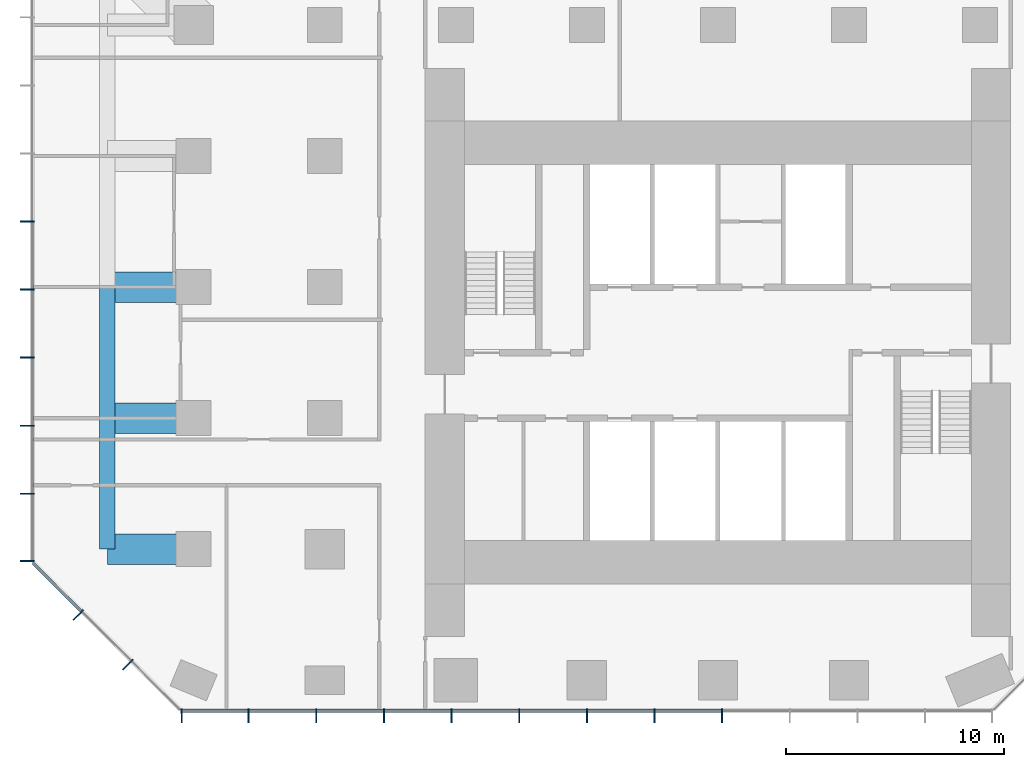
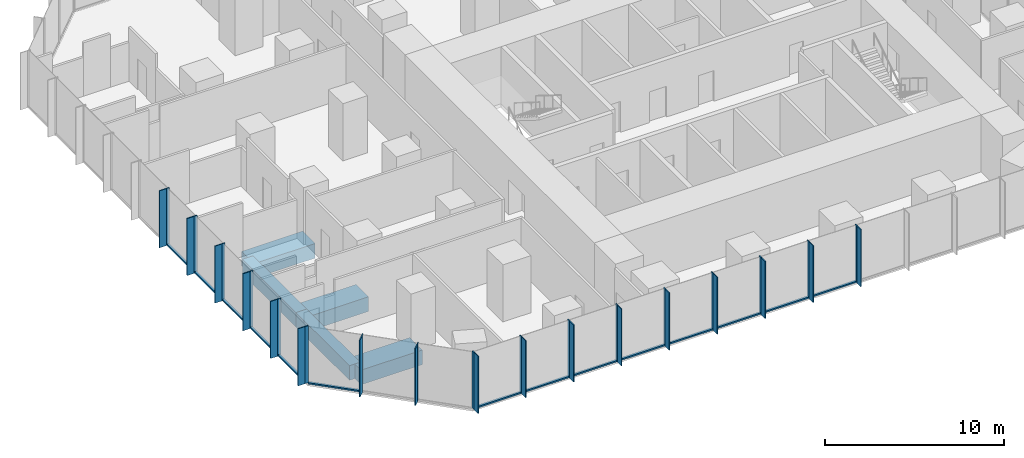
# One storey, part 2 of 11: 48 members, 5 beams, 3 elements without a shape of their own.
"""IFC4 building model written with IfcOpenShell, lengths in metres."""

from ifc_helpers import new_model, si_unit, direction, frame, origin, origin_2d, place, context, subcontext, project, spatial, rectangle, extrude, material, layer, layer_set, material_profile, profile_set, type_object, element, aggregate, save


model = new_model("IFC4")

# Units and contexts
model_context = context("Model", 3, precision=1e-05, world=origin(), true_north=direction((0.0, 1.0)))
body_context = subcontext(model_context, "Body", "Model", "MODEL_VIEW")
ifc_project = project(units=[si_unit("LENGTHUNIT", "METRE"), si_unit("AREAUNIT", "SQUARE_METRE"), si_unit("VOLUMEUNIT", "CUBIC_METRE"), si_unit("PLANEANGLEUNIT", "RADIAN"), si_unit("MASSUNIT", "GRAM", prefix="KILO")], contexts=[model_context])

# Site, building, storey
site_placement = place(None, origin())
site = spatial("IfcSite", under=ifc_project, at=site_placement, CompositionType="ELEMENT")
building_placement = place(site_placement, origin())
building = spatial("IfcBuilding", under=site, at=building_placement, Name="Highveld Stack Headquarters", CompositionType="ELEMENT")
storey_placement = place(building_placement, frame((0.0, 0.0, 109.39990234375)))
storey = spatial("IfcBuildingStorey", under=building, at=storey_placement, Name="L26", CompositionType="ELEMENT", Elevation=109.39990234375)

# Beams
ifc_material_1 = material(Name="Concrete C60/75", Category="concrete")
ifc_material_profile_1 = material_profile(ifc_material_1, rectangle(XDim=1.39990234375, YDim=1.0, at=origin_2d()), Name="RC 1400x1000")
ifc_profile_set_1 = profile_set([ifc_material_profile_1], Name="Concrete C60/75")
beam_type_1 = type_object("IfcBeamType", Name="CANTILEVER RIB RC 1400x1000", PredefinedType="USERDEFINED", material=ifc_profile_set_1)
for number, where, z_axis, x_axis, name in (
    (1, (-18.0, -6.0, -0.75), (-1.0, 0.0, 0.0), (0.0, -1.0, 0.0), "Cantilever rib 3/D L26"),
    (2, (-18.0, 0.0, -0.75), (-1.0, 0.0, 0.0), (0.0, -1.0, 0.0), "Cantilever rib 3/E L26"),
    (3, (-18.0, 6.0, -0.75), (-1.0, 0.0, 0.0), (0.0, -1.0, 0.0), "Cantilever rib 3/F L26"),
):
    element("IfcBeam", number, at=place(storey_placement, frame(where, z_axis=z_axis, x_axis=x_axis)), inside=storey, type_object=beam_type_1, Name=name, ObjectType="CANTILEVER RIB", PredefinedType="USERDEFINED", context=body_context, shape_type="SweptSolid", body=[
        extrude(rectangle(XDim=1.39990234375, YDim=1.0, at=origin_2d()), origin(), (0.0, 0.0, 1.0), 3.949951171875),
    ])

# Curtain wall, members
ifc_material_2 = material(Name="Aluminium bronze anodised", Category="aluminium")
ifc_layer_1 = layer(ifc_material_2, 0.199951171875)
ifc_layer_set_1 = layer_set([ifc_layer_1], Name="Aluminium bronze anodised")
curtain_wall_type_1 = type_object("IfcCurtainWallType", Name="CW1 TOWER UNITISED CURTAIN WALL", PredefinedType="NOTDEFINED", material=ifc_layer_set_1)
curtain_wall_1_placement = place(storey_placement, origin())
curtain_wall_1 = element("IfcCurtainWall", 4, at=curtain_wall_1_placement, inside=storey, type_object=curtain_wall_type_1, Name="Curtain wall CW1 L26 S", PredefinedType="NOTDEFINED")
ifc_material_3 = material(Name="Aluminium bronze anodised", Category="aluminium")
ifc_material_profile_2 = material_profile(ifc_material_3, rectangle(XDim=0.449951171875, YDim=0.06005859375, at=origin_2d()), Name="FIN 450x60")
ifc_profile_set_2 = profile_set([ifc_material_profile_2], Name="Aluminium bronze anodised")
member_type_1 = type_object("IfcMemberType", Name="CW1 BRONZE FIN 450x60", PredefinedType="USERDEFINED", material=ifc_profile_set_2)
member_1_placement = place(storey_placement, frame((-18.54736328125, -13.72509765625, 0.0), z_axis=(0.0, 0.0, 1.0), x_axis=(0.0, 1.0, 0.0)))
member_1 = element("IfcMember", 5, at=member_1_placement, type_object=member_type_1, Name="CW1 fin L26 1", ObjectType="FIN", PredefinedType="USERDEFINED", context=body_context, shape_type="SweptSolid", body=[
    extrude(rectangle(XDim=0.449951171875, YDim=0.06005859375, at=origin_2d()), origin(), (0.0, 0.0, 1.0), 3.900146484375),
])
member_2_placement = place(storey_placement, frame((-15.483154296875, -13.72509765625, 0.0), z_axis=(0.0, 0.0, 1.0), x_axis=(0.0, 1.0, 0.0)))
member_2 = element("IfcMember", 6, at=member_2_placement, type_object=member_type_1, Name="CW1 fin L26 2", ObjectType="FIN", PredefinedType="USERDEFINED", context=body_context, shape_type="SweptSolid", body=[
    extrude(rectangle(XDim=0.449951171875, YDim=0.06005859375, at=origin_2d()), origin(), (0.0, 0.0, 1.0), 3.900146484375),
])
member_3_placement = place(storey_placement, frame((-12.38671875, -13.72509765625, 0.0), z_axis=(0.0, 0.0, 1.0), x_axis=(0.0, 1.0, 0.0)))
member_3 = element("IfcMember", 7, at=member_3_placement, type_object=member_type_1, Name="CW1 fin L26 3", ObjectType="FIN", PredefinedType="USERDEFINED", context=body_context, shape_type="SweptSolid", body=[
    extrude(rectangle(XDim=0.449951171875, YDim=0.06005859375, at=origin_2d()), origin(), (0.0, 0.0, 1.0), 3.900146484375),
])
member_4_placement = place(storey_placement, frame((-9.289794921875, -13.72509765625, 0.0), z_axis=(0.0, 0.0, 1.0), x_axis=(0.0, 1.0, 0.0)))
member_4 = element("IfcMember", 8, at=member_4_placement, type_object=member_type_1, Name="CW1 fin L26 4", ObjectType="FIN", PredefinedType="USERDEFINED", context=body_context, shape_type="SweptSolid", body=[
    extrude(rectangle(XDim=0.449951171875, YDim=0.06005859375, at=origin_2d()), origin(), (0.0, 0.0, 1.0), 3.900146484375),
])
member_5_placement = place(storey_placement, frame((-6.193359375, -13.72509765625, 0.0), z_axis=(0.0, 0.0, 1.0), x_axis=(0.0, 1.0, 0.0)))
member_5 = element("IfcMember", 9, at=member_5_placement, type_object=member_type_1, Name="CW1 fin L26 5", ObjectType="FIN", PredefinedType="USERDEFINED", context=body_context, shape_type="SweptSolid", body=[
    extrude(rectangle(XDim=0.449951171875, YDim=0.06005859375, at=origin_2d()), origin(), (0.0, 0.0, 1.0), 3.900146484375),
])
member_6_placement = place(storey_placement, frame((-3.0966796875, -13.72509765625, 0.0), z_axis=(0.0, 0.0, 1.0), x_axis=(0.0, 1.0, 0.0)))
member_6 = element("IfcMember", 10, at=member_6_placement, type_object=member_type_1, Name="CW1 fin L26 6", ObjectType="FIN", PredefinedType="USERDEFINED", context=body_context, shape_type="SweptSolid", body=[
    extrude(rectangle(XDim=0.449951171875, YDim=0.06005859375, at=origin_2d()), origin(), (0.0, 0.0, 1.0), 3.900146484375),
])
member_7_placement = place(storey_placement, frame((0.0, -13.72509765625, 0.0), z_axis=(0.0, 0.0, 1.0), x_axis=(0.0, 1.0, 0.0)))
member_7 = element("IfcMember", 11, at=member_7_placement, type_object=member_type_1, Name="CW1 fin L26 7", ObjectType="FIN", PredefinedType="USERDEFINED", context=body_context, shape_type="SweptSolid", body=[
    extrude(rectangle(XDim=0.449951171875, YDim=0.06005859375, at=origin_2d()), origin(), (0.0, 0.0, 1.0), 3.900146484375),
])
member_8_placement = place(storey_placement, frame((3.0966796875, -13.72509765625, 0.0), z_axis=(0.0, 0.0, 1.0), x_axis=(0.0, 1.0, 0.0)))
member_8 = element("IfcMember", 12, at=member_8_placement, type_object=member_type_1, Name="CW1 fin L26 8", ObjectType="FIN", PredefinedType="USERDEFINED", context=body_context, shape_type="SweptSolid", body=[
    extrude(rectangle(XDim=0.449951171875, YDim=0.06005859375, at=origin_2d()), origin(), (0.0, 0.0, 1.0), 3.900146484375),
])
member_9_placement = place(storey_placement, frame((6.193359375, -13.72509765625, 0.0), z_axis=(0.0, 0.0, 1.0), x_axis=(0.0, 1.0, 0.0)))
member_9 = element("IfcMember", 13, at=member_9_placement, type_object=member_type_1, Name="CW1 fin L26 9", ObjectType="FIN", PredefinedType="USERDEFINED", context=body_context, shape_type="SweptSolid", body=[
    extrude(rectangle(XDim=0.449951171875, YDim=0.06005859375, at=origin_2d()), origin(), (0.0, 0.0, 1.0), 3.900146484375),
])

curtain_wall_2_placement = place(storey_placement, origin())
curtain_wall_2 = element("IfcCurtainWall", 14, at=curtain_wall_2_placement, inside=storey, type_object=curtain_wall_type_1, Name="Curtain wall CW1 L26 W", PredefinedType="NOTDEFINED")
member_10_placement = place(storey_placement, frame((-25.72509765625, 9.0, 0.0), z_axis=(0.0, 0.0, 1.0), x_axis=(1.0, 0.0, 0.0)))
member_10 = element("IfcMember", 15, at=member_10_placement, type_object=member_type_1, Name="CW1 fin L26 6", ObjectType="FIN", PredefinedType="USERDEFINED", context=body_context, shape_type="SweptSolid", body=[
    extrude(rectangle(XDim=0.449951171875, YDim=0.06005859375, at=origin_2d()), origin(), (0.0, 0.0, 1.0), 3.900146484375),
])
member_11_placement = place(storey_placement, frame((-25.72509765625, 5.884033203125, 0.0), z_axis=(0.0, 0.0, 1.0), x_axis=(1.0, 0.0, 0.0)))
member_11 = element("IfcMember", 16, at=member_11_placement, type_object=member_type_1, Name="CW1 fin L26 7", ObjectType="FIN", PredefinedType="USERDEFINED", context=body_context, shape_type="SweptSolid", body=[
    extrude(rectangle(XDim=0.449951171875, YDim=0.06005859375, at=origin_2d()), origin(), (0.0, 0.0, 1.0), 3.900146484375),
])
member_12_placement = place(storey_placement, frame((-25.72509765625, 2.76806640625, 0.0), z_axis=(0.0, 0.0, 1.0), x_axis=(1.0, 0.0, 0.0)))
member_12 = element("IfcMember", 17, at=member_12_placement, type_object=member_type_1, Name="CW1 fin L26 8", ObjectType="FIN", PredefinedType="USERDEFINED", context=body_context, shape_type="SweptSolid", body=[
    extrude(rectangle(XDim=0.449951171875, YDim=0.06005859375, at=origin_2d()), origin(), (0.0, 0.0, 1.0), 3.900146484375),
])
member_13_placement = place(storey_placement, frame((-25.72509765625, -0.347900390625, 0.0), z_axis=(0.0, 0.0, 1.0), x_axis=(1.0, 0.0, 0.0)))
member_13 = element("IfcMember", 18, at=member_13_placement, type_object=member_type_1, Name="CW1 fin L26 9", ObjectType="FIN", PredefinedType="USERDEFINED", context=body_context, shape_type="SweptSolid", body=[
    extrude(rectangle(XDim=0.449951171875, YDim=0.06005859375, at=origin_2d()), origin(), (0.0, 0.0, 1.0), 3.900146484375),
])
member_14_placement = place(storey_placement, frame((-25.72509765625, -3.4638671875, 0.0), z_axis=(0.0, 0.0, 1.0), x_axis=(1.0, 0.0, 0.0)))
member_14 = element("IfcMember", 19, at=member_14_placement, type_object=member_type_1, Name="CW1 fin L26 10", ObjectType="FIN", PredefinedType="USERDEFINED", context=body_context, shape_type="SweptSolid", body=[
    extrude(rectangle(XDim=0.449951171875, YDim=0.06005859375, at=origin_2d()), origin(), (0.0, 0.0, 1.0), 3.900146484375),
])
member_15_placement = place(storey_placement, frame((-25.72509765625, -6.54736328125, 0.0), z_axis=(0.0, 0.0, 1.0), x_axis=(1.0, 0.0, 0.0)))
member_15 = element("IfcMember", 20, at=member_15_placement, type_object=member_type_1, Name="CW1 fin L26 11", ObjectType="FIN", PredefinedType="USERDEFINED", context=body_context, shape_type="SweptSolid", body=[
    extrude(rectangle(XDim=0.449951171875, YDim=0.06005859375, at=origin_2d()), origin(), (0.0, 0.0, 1.0), 3.900146484375),
])

# Member
ifc_material_4 = material(Name="Aluminium bronze anodised", Category="aluminium")
ifc_material_profile_3 = material_profile(ifc_material_4, rectangle(XDim=0.199951171875, YDim=0.06494140625, at=origin_2d()), Name="CW1 MULLION 65x200")
ifc_profile_set_3 = profile_set([ifc_material_profile_3], Name="Aluminium bronze anodised")
member_type_2 = type_object("IfcMemberType", Name="CW1 MULLION 65x200", PredefinedType="MULLION", material=ifc_profile_set_3)
member_16_placement = place(storey_placement, frame((-18.54736328125, -13.39990234375, 0.0), z_axis=(0.0, 0.0, 1.0), x_axis=(0.0, 1.0, 0.0)))
member_16 = element("IfcMember", 21, at=member_16_placement, type_object=member_type_2, Name="CW1 mullion L26 1", PredefinedType="MULLION", context=body_context, shape_type="SweptSolid", body=[
    extrude(rectangle(XDim=0.199951171875, YDim=0.06494140625, at=origin_2d()), origin(), (0.0, 0.0, 1.0), 3.900146484375),
])

member_17_placement = place(storey_placement, frame((-15.483154296875, -13.39990234375, 0.0), z_axis=(0.0, 0.0, 1.0), x_axis=(0.0, 1.0, 0.0)))
member_17 = element("IfcMember", 22, at=member_17_placement, type_object=member_type_2, Name="CW1 mullion L26 2", PredefinedType="MULLION", context=body_context, shape_type="SweptSolid", body=[
    extrude(rectangle(XDim=0.199951171875, YDim=0.06494140625, at=origin_2d()), origin(), (0.0, 0.0, 1.0), 3.900146484375),
])

member_18_placement = place(storey_placement, frame((-12.38671875, -13.39990234375, 0.0), z_axis=(0.0, 0.0, 1.0), x_axis=(0.0, 1.0, 0.0)))
member_18 = element("IfcMember", 23, at=member_18_placement, type_object=member_type_2, Name="CW1 mullion L26 3", PredefinedType="MULLION", context=body_context, shape_type="SweptSolid", body=[
    extrude(rectangle(XDim=0.199951171875, YDim=0.06494140625, at=origin_2d()), origin(), (0.0, 0.0, 1.0), 3.900146484375),
])

member_19_placement = place(storey_placement, frame((-9.289794921875, -13.39990234375, 0.0), z_axis=(0.0, 0.0, 1.0), x_axis=(0.0, 1.0, 0.0)))
member_19 = element("IfcMember", 24, at=member_19_placement, type_object=member_type_2, Name="CW1 mullion L26 4", PredefinedType="MULLION", context=body_context, shape_type="SweptSolid", body=[
    extrude(rectangle(XDim=0.199951171875, YDim=0.06494140625, at=origin_2d()), origin(), (0.0, 0.0, 1.0), 3.900146484375),
])

member_20_placement = place(storey_placement, frame((-6.193359375, -13.39990234375, 0.0), z_axis=(0.0, 0.0, 1.0), x_axis=(0.0, 1.0, 0.0)))
member_20 = element("IfcMember", 25, at=member_20_placement, type_object=member_type_2, Name="CW1 mullion L26 5", PredefinedType="MULLION", context=body_context, shape_type="SweptSolid", body=[
    extrude(rectangle(XDim=0.199951171875, YDim=0.06494140625, at=origin_2d()), origin(), (0.0, 0.0, 1.0), 3.900146484375),
])

member_21_placement = place(storey_placement, frame((-3.0966796875, -13.39990234375, 0.0), z_axis=(0.0, 0.0, 1.0), x_axis=(0.0, 1.0, 0.0)))
member_21 = element("IfcMember", 26, at=member_21_placement, type_object=member_type_2, Name="CW1 mullion L26 6", PredefinedType="MULLION", context=body_context, shape_type="SweptSolid", body=[
    extrude(rectangle(XDim=0.199951171875, YDim=0.06494140625, at=origin_2d()), origin(), (0.0, 0.0, 1.0), 3.900146484375),
])

member_22_placement = place(storey_placement, frame((0.0, -13.39990234375, 0.0), z_axis=(0.0, 0.0, 1.0), x_axis=(0.0, 1.0, 0.0)))
member_22 = element("IfcMember", 27, at=member_22_placement, type_object=member_type_2, Name="CW1 mullion L26 7", PredefinedType="MULLION", context=body_context, shape_type="SweptSolid", body=[
    extrude(rectangle(XDim=0.199951171875, YDim=0.06494140625, at=origin_2d()), origin(), (0.0, 0.0, 1.0), 3.900146484375),
])

member_23_placement = place(storey_placement, frame((3.0966796875, -13.39990234375, 0.0), z_axis=(0.0, 0.0, 1.0), x_axis=(0.0, 1.0, 0.0)))
member_23 = element("IfcMember", 28, at=member_23_placement, type_object=member_type_2, Name="CW1 mullion L26 8", PredefinedType="MULLION", context=body_context, shape_type="SweptSolid", body=[
    extrude(rectangle(XDim=0.199951171875, YDim=0.06494140625, at=origin_2d()), origin(), (0.0, 0.0, 1.0), 3.900146484375),
])

member_24_placement = place(storey_placement, frame((6.193359375, -13.39990234375, 0.0), z_axis=(0.0, 0.0, 1.0), x_axis=(0.0, 1.0, 0.0)))
member_24 = element("IfcMember", 29, at=member_24_placement, type_object=member_type_2, Name="CW1 mullion L26 9", PredefinedType="MULLION", context=body_context, shape_type="SweptSolid", body=[
    extrude(rectangle(XDim=0.199951171875, YDim=0.06494140625, at=origin_2d()), origin(), (0.0, 0.0, 1.0), 3.900146484375),
])

member_25_placement = place(storey_placement, frame((-25.39990234375, 9.0, 0.0), z_axis=(0.0, 0.0, 1.0), x_axis=(1.0, 0.0, 0.0)))
member_25 = element("IfcMember", 30, at=member_25_placement, type_object=member_type_2, Name="CW1 mullion L26 6", PredefinedType="MULLION", context=body_context, shape_type="SweptSolid", body=[
    extrude(rectangle(XDim=0.199951171875, YDim=0.06494140625, at=origin_2d()), origin(), (0.0, 0.0, 1.0), 3.900146484375),
])

member_26_placement = place(storey_placement, frame((-25.39990234375, 5.884033203125, 0.0), z_axis=(0.0, 0.0, 1.0), x_axis=(1.0, 0.0, 0.0)))
member_26 = element("IfcMember", 31, at=member_26_placement, type_object=member_type_2, Name="CW1 mullion L26 7", PredefinedType="MULLION", context=body_context, shape_type="SweptSolid", body=[
    extrude(rectangle(XDim=0.199951171875, YDim=0.06494140625, at=origin_2d()), origin(), (0.0, 0.0, 1.0), 3.900146484375),
])

member_27_placement = place(storey_placement, frame((-25.39990234375, 2.76806640625, 0.0), z_axis=(0.0, 0.0, 1.0), x_axis=(1.0, 0.0, 0.0)))
member_27 = element("IfcMember", 32, at=member_27_placement, type_object=member_type_2, Name="CW1 mullion L26 8", PredefinedType="MULLION", context=body_context, shape_type="SweptSolid", body=[
    extrude(rectangle(XDim=0.199951171875, YDim=0.06494140625, at=origin_2d()), origin(), (0.0, 0.0, 1.0), 3.900146484375),
])

member_28_placement = place(storey_placement, frame((-25.39990234375, -0.347900390625, 0.0), z_axis=(0.0, 0.0, 1.0), x_axis=(1.0, 0.0, 0.0)))
member_28 = element("IfcMember", 33, at=member_28_placement, type_object=member_type_2, Name="CW1 mullion L26 9", PredefinedType="MULLION", context=body_context, shape_type="SweptSolid", body=[
    extrude(rectangle(XDim=0.199951171875, YDim=0.06494140625, at=origin_2d()), origin(), (0.0, 0.0, 1.0), 3.900146484375),
])

member_29_placement = place(storey_placement, frame((-25.39990234375, -3.4638671875, 0.0), z_axis=(0.0, 0.0, 1.0), x_axis=(1.0, 0.0, 0.0)))
member_29 = element("IfcMember", 34, at=member_29_placement, type_object=member_type_2, Name="CW1 mullion L26 10", PredefinedType="MULLION", context=body_context, shape_type="SweptSolid", body=[
    extrude(rectangle(XDim=0.199951171875, YDim=0.06494140625, at=origin_2d()), origin(), (0.0, 0.0, 1.0), 3.900146484375),
])

member_30_placement = place(storey_placement, frame((-25.39990234375, -6.54736328125, 0.0), z_axis=(0.0, 0.0, 1.0), x_axis=(1.0, 0.0, 0.0)))
member_30 = element("IfcMember", 35, at=member_30_placement, type_object=member_type_2, Name="CW1 mullion L26 11", PredefinedType="MULLION", context=body_context, shape_type="SweptSolid", body=[
    extrude(rectangle(XDim=0.199951171875, YDim=0.06494140625, at=origin_2d()), origin(), (0.0, 0.0, 1.0), 3.900146484375),
])

ifc_material_5 = material(Name="Aluminium bronze anodised", Category="aluminium")
ifc_material_profile_4 = material_profile(ifc_material_5, rectangle(XDim=0.14990234375, YDim=0.10009765625, at=origin_2d()), Name="CW1 TRANSOM 150x100")
ifc_profile_set_4 = profile_set([ifc_material_profile_4], Name="Aluminium bronze anodised")
member_type_3 = type_object("IfcMemberType", Name="CW1 STACK TRANSOM 150x100", PredefinedType="USERDEFINED", material=ifc_profile_set_4)
member_31_placement = place(storey_placement, frame((-18.514892578125, -13.39990234375, 0.050048828125), z_axis=(1.0, 0.0, 0.0), x_axis=(0.0, 1.0, 0.0)))
member_31 = element("IfcMember", 36, at=member_31_placement, type_object=member_type_3, Name="CW1 transom L26 1.1", ObjectType="TRANSOM", PredefinedType="USERDEFINED", context=body_context, shape_type="SweptSolid", body=[
    extrude(rectangle(XDim=0.14990234375, YDim=0.10009765625, at=origin_2d()), origin(), (0.0, 0.0, 1.0), 2.999267578125),
])

member_32_placement = place(storey_placement, frame((-15.45068359375, -13.39990234375, 0.050048828125), z_axis=(1.0, 0.0, 0.0), x_axis=(0.0, 1.0, 0.0)))
member_32 = element("IfcMember", 37, at=member_32_placement, type_object=member_type_3, Name="CW1 transom L26 2.1", ObjectType="TRANSOM", PredefinedType="USERDEFINED", context=body_context, shape_type="SweptSolid", body=[
    extrude(rectangle(XDim=0.14990234375, YDim=0.10009765625, at=origin_2d()), origin(), (0.0, 0.0, 1.0), 3.031494140625),
])

member_33_placement = place(storey_placement, frame((-12.35400390625, -13.39990234375, 0.050048828125), z_axis=(1.0, 0.0, 0.0), x_axis=(0.0, 1.0, 0.0)))
member_33 = element("IfcMember", 38, at=member_33_placement, type_object=member_type_3, Name="CW1 transom L26 3.1", ObjectType="TRANSOM", PredefinedType="USERDEFINED", context=body_context, shape_type="SweptSolid", body=[
    extrude(rectangle(XDim=0.14990234375, YDim=0.10009765625, at=origin_2d()), origin(), (0.0, 0.0, 1.0), 3.031494140625),
])

member_34_placement = place(storey_placement, frame((-9.25732421875, -13.39990234375, 0.050048828125), z_axis=(1.0, 0.0, 0.0), x_axis=(0.0, 1.0, 0.0)))
member_34 = element("IfcMember", 39, at=member_34_placement, type_object=member_type_3, Name="CW1 transom L26 4.1", ObjectType="TRANSOM", PredefinedType="USERDEFINED", context=body_context, shape_type="SweptSolid", body=[
    extrude(rectangle(XDim=0.14990234375, YDim=0.10009765625, at=origin_2d()), origin(), (0.0, 0.0, 1.0), 3.031494140625),
])

member_35_placement = place(storey_placement, frame((-6.160888671875, -13.39990234375, 0.050048828125), z_axis=(1.0, 0.0, 0.0), x_axis=(0.0, 1.0, 0.0)))
member_35 = element("IfcMember", 40, at=member_35_placement, type_object=member_type_3, Name="CW1 transom L26 5.1", ObjectType="TRANSOM", PredefinedType="USERDEFINED", context=body_context, shape_type="SweptSolid", body=[
    extrude(rectangle(XDim=0.14990234375, YDim=0.10009765625, at=origin_2d()), origin(), (0.0, 0.0, 1.0), 3.03173828125),
])

member_36_placement = place(storey_placement, frame((-3.064208984375, -13.39990234375, 0.050048828125), z_axis=(1.0, 0.0, 0.0), x_axis=(0.0, 1.0, 0.0)))
member_36 = element("IfcMember", 41, at=member_36_placement, type_object=member_type_3, Name="CW1 transom L26 6.1", ObjectType="TRANSOM", PredefinedType="USERDEFINED", context=body_context, shape_type="SweptSolid", body=[
    extrude(rectangle(XDim=0.14990234375, YDim=0.10009765625, at=origin_2d()), origin(), (0.0, 0.0, 1.0), 3.03173828125),
])

member_37_placement = place(storey_placement, frame((0.032470703125, -13.39990234375, 0.050048828125), z_axis=(1.0, 0.0, 0.0), x_axis=(0.0, 1.0, 0.0)))
member_37 = element("IfcMember", 42, at=member_37_placement, type_object=member_type_3, Name="CW1 transom L26 7.1", ObjectType="TRANSOM", PredefinedType="USERDEFINED", context=body_context, shape_type="SweptSolid", body=[
    extrude(rectangle(XDim=0.14990234375, YDim=0.10009765625, at=origin_2d()), origin(), (0.0, 0.0, 1.0), 3.03173828125),
])

member_38_placement = place(storey_placement, frame((3.129150390625, -13.39990234375, 0.050048828125), z_axis=(1.0, 0.0, 0.0), x_axis=(0.0, 1.0, 0.0)))
member_38 = element("IfcMember", 43, at=member_38_placement, type_object=member_type_3, Name="CW1 transom L26 8.1", ObjectType="TRANSOM", PredefinedType="USERDEFINED", context=body_context, shape_type="SweptSolid", body=[
    extrude(rectangle(XDim=0.14990234375, YDim=0.10009765625, at=origin_2d()), origin(), (0.0, 0.0, 1.0), 3.03173828125),
])

aggregate(curtain_wall_1, [member_16, member_1, member_17, member_2, member_18, member_3, member_19, member_4, member_20, member_5, member_21, member_6, member_22, member_7, member_23, member_8, member_24, member_9, member_31, member_32, member_33, member_34, member_35, member_36, member_37, member_38])

member_39_placement = place(storey_placement, frame((-25.39990234375, 8.967529296875, 0.050048828125), z_axis=(0.0, -1.0, 0.0), x_axis=(1.0, 0.0, 0.0)))
member_39 = element("IfcMember", 44, at=member_39_placement, type_object=member_type_3, Name="CW1 transom L26 6.1", ObjectType="TRANSOM", PredefinedType="USERDEFINED", context=body_context, shape_type="SweptSolid", body=[
    extrude(rectangle(XDim=0.14990234375, YDim=0.10009765625, at=origin_2d()), origin(), (0.0, 0.0, 1.0), 3.051025390625),
])

member_40_placement = place(storey_placement, frame((-25.39990234375, 5.8515625, 0.050048828125), z_axis=(0.0, -1.0, 0.0), x_axis=(1.0, 0.0, 0.0)))
member_40 = element("IfcMember", 45, at=member_40_placement, type_object=member_type_3, Name="CW1 transom L26 7.1", ObjectType="TRANSOM", PredefinedType="USERDEFINED", context=body_context, shape_type="SweptSolid", body=[
    extrude(rectangle(XDim=0.14990234375, YDim=0.10009765625, at=origin_2d()), origin(), (0.0, 0.0, 1.0), 3.051025390625),
])

member_41_placement = place(storey_placement, frame((-25.39990234375, 2.735595703125, 0.050048828125), z_axis=(0.0, -1.0, 0.0), x_axis=(1.0, 0.0, 0.0)))
member_41 = element("IfcMember", 46, at=member_41_placement, type_object=member_type_3, Name="CW1 transom L26 8.1", ObjectType="TRANSOM", PredefinedType="USERDEFINED", context=body_context, shape_type="SweptSolid", body=[
    extrude(rectangle(XDim=0.14990234375, YDim=0.10009765625, at=origin_2d()), origin(), (0.0, 0.0, 1.0), 3.051025390625),
])

member_42_placement = place(storey_placement, frame((-25.39990234375, -0.38037109375, 0.050048828125), z_axis=(0.0, -1.0, 0.0), x_axis=(1.0, 0.0, 0.0)))
member_42 = element("IfcMember", 47, at=member_42_placement, type_object=member_type_3, Name="CW1 transom L26 9.1", ObjectType="TRANSOM", PredefinedType="USERDEFINED", context=body_context, shape_type="SweptSolid", body=[
    extrude(rectangle(XDim=0.14990234375, YDim=0.10009765625, at=origin_2d()), origin(), (0.0, 0.0, 1.0), 3.051025390625),
])

member_43_placement = place(storey_placement, frame((-25.39990234375, -3.496337890625, 0.050048828125), z_axis=(0.0, -1.0, 0.0), x_axis=(1.0, 0.0, 0.0)))
member_43 = element("IfcMember", 48, at=member_43_placement, type_object=member_type_3, Name="CW1 transom L26 10.1", ObjectType="TRANSOM", PredefinedType="USERDEFINED", context=body_context, shape_type="SweptSolid", body=[
    extrude(rectangle(XDim=0.14990234375, YDim=0.10009765625, at=origin_2d()), origin(), (0.0, 0.0, 1.0), 3.0185546875),
])

aggregate(curtain_wall_2, [member_25, member_10, member_26, member_11, member_27, member_12, member_28, member_13, member_29, member_14, member_30, member_15, member_39, member_40, member_41, member_42, member_43])

# Curtain wall, members
ifc_material_6 = material(Name="Aluminium bronze anodised", Category="aluminium")
ifc_layer_2 = layer(ifc_material_6, 0.199951171875)
ifc_layer_set_2 = layer_set([ifc_layer_2], Name="Aluminium bronze anodised")
curtain_wall_type_2 = type_object("IfcCurtainWallType", Name="CW2 TOWER CHAMFER UNITISED CURTAIN WALL", PredefinedType="NOTDEFINED", material=ifc_layer_set_2)
curtain_wall_3_placement = place(storey_placement, origin())
curtain_wall_3 = element("IfcCurtainWall", 49, at=curtain_wall_3_placement, inside=storey, type_object=curtain_wall_type_2, Name="Curtain wall CW2 L26 SW", PredefinedType="NOTDEFINED")
ifc_material_7 = material(Name="Aluminium bronze anodised", Category="aluminium")
ifc_material_profile_5 = material_profile(ifc_material_7, rectangle(XDim=0.449951171875, YDim=0.06005859375, at=origin_2d()), Name="FIN 450x60")
ifc_profile_set_5 = profile_set([ifc_material_profile_5], Name="Aluminium bronze anodised")
member_type_4 = type_object("IfcMemberType", Name="CW2 BRONZE FIN 450x60", PredefinedType="USERDEFINED", material=ifc_profile_set_5)
member_44_placement = place(storey_placement, frame((-23.3564453125, -9.0830078125, 0.0), z_axis=(0.0, 0.0, 1.0), x_axis=(0.707106781187, 0.707106781187, 0.0)))
member_44 = element("IfcMember", 50, at=member_44_placement, type_object=member_type_4, Name="CW2 fin L26 1", ObjectType="FIN", PredefinedType="USERDEFINED", context=body_context, shape_type="SweptSolid", body=[
    extrude(rectangle(XDim=0.449951171875, YDim=0.06005859375, at=origin_2d()), origin(), (0.0, 0.0, 1.0), 3.900146484375),
])
member_45_placement = place(storey_placement, frame((-21.0830078125, -11.3564453125, 0.0), z_axis=(0.0, 0.0, 1.0), x_axis=(0.707106781187, 0.707106781187, 0.0)))
member_45 = element("IfcMember", 51, at=member_45_placement, type_object=member_type_4, Name="CW2 fin L26 2", ObjectType="FIN", PredefinedType="USERDEFINED", context=body_context, shape_type="SweptSolid", body=[
    extrude(rectangle(XDim=0.449951171875, YDim=0.06005859375, at=origin_2d()), origin(), (0.0, 0.0, 1.0), 3.900146484375),
])
ifc_material_8 = material(Name="Aluminium bronze anodised", Category="aluminium")
ifc_material_profile_6 = material_profile(ifc_material_8, rectangle(XDim=0.199951171875, YDim=0.06494140625, at=origin_2d()), Name="CW2 MULLION 65x200")
ifc_profile_set_6 = profile_set([ifc_material_profile_6], Name="Aluminium bronze anodised")
member_type_5 = type_object("IfcMemberType", Name="CW2 MULLION 65x200", PredefinedType="MULLION", material=ifc_profile_set_6)
member_46_placement = place(storey_placement, frame((-23.126708984375, -8.853271484375, 0.0), z_axis=(0.0, 0.0, 1.0), x_axis=(0.707106781187, 0.707106781187, 0.0)))
member_46 = element("IfcMember", 52, at=member_46_placement, type_object=member_type_5, Name="CW2 mullion L26 1", PredefinedType="MULLION", context=body_context, shape_type="SweptSolid", body=[
    extrude(rectangle(XDim=0.199951171875, YDim=0.06494140625, at=origin_2d()), origin(), (0.0, 0.0, 1.0), 3.900146484375),
])
member_47_placement = place(storey_placement, frame((-20.853271484375, -11.126708984375, 0.0), z_axis=(0.0, 0.0, 1.0), x_axis=(0.707106781187, 0.707106781187, 0.0)))
member_47 = element("IfcMember", 53, at=member_47_placement, type_object=member_type_5, Name="CW2 mullion L26 2", PredefinedType="MULLION", context=body_context, shape_type="SweptSolid", body=[
    extrude(rectangle(XDim=0.199951171875, YDim=0.06494140625, at=origin_2d()), origin(), (0.0, 0.0, 1.0), 3.900146484375),
])
ifc_material_9 = material(Name="Aluminium bronze anodised", Category="aluminium")
ifc_material_profile_7 = material_profile(ifc_material_9, rectangle(XDim=0.14990234375, YDim=0.10009765625, at=origin_2d()), Name="CW2 TRANSOM 150x100")
ifc_profile_set_7 = profile_set([ifc_material_profile_7], Name="Aluminium bronze anodised")
member_type_6 = type_object("IfcMemberType", Name="CW2 STACK TRANSOM 150x100", PredefinedType="USERDEFINED", material=ifc_profile_set_7)
member_48_placement = place(storey_placement, frame((-25.329345703125, -6.650634765625, 0.050048828125), z_axis=(0.707106781187, -0.707106781187, 0.0), x_axis=(0.707106781187, 0.707106781187, 0.0)))
member_48 = element("IfcMember", 54, at=member_48_placement, type_object=member_type_6, Name="CW2 transom L26 1.1", ObjectType="TRANSOM", PredefinedType="USERDEFINED", context=body_context, shape_type="SweptSolid", body=[
    extrude(rectangle(XDim=0.14990234375, YDim=0.10009765625, at=origin_2d()), origin(), (0.0, 0.0, 1.0), 3.08251953125),
])
aggregate(curtain_wall_3, [member_46, member_44, member_47, member_45, member_48])

# Beams
ifc_material_10 = material(Name="Concrete C60/75", Category="concrete")
ifc_material_profile_8 = material_profile(ifc_material_10, rectangle(XDim=0.699951171875, YDim=1.0, at=origin_2d()), Name="RC 700x1000")
ifc_profile_set_8 = profile_set([ifc_material_profile_8], Name="Concrete C60/75")
beam_type_2 = type_object("IfcBeamType", Name="RIB TIP BEAM RC 700x1000", PredefinedType="SPANDREL", material=ifc_profile_set_8)
for number, where, z_axis, x_axis, name in (
    (55, (-21.949951171875, -6.0, -0.75), (0.0, 1.0, 0.0), (-1.0, 0.0, 0.0), "Rib tip beam 3/D to 3/E L26"),
    (56, (-21.949951171875, 0.0, -0.75), (0.0, 1.0, 0.0), (-1.0, 0.0, 0.0), "Rib tip beam 3/E to 3/F L26"),
):
    element("IfcBeam", number, at=place(storey_placement, frame(where, z_axis=z_axis, x_axis=x_axis)), inside=storey, type_object=beam_type_2, Name=name, PredefinedType="SPANDREL", context=body_context, shape_type="SweptSolid", body=[
        extrude(rectangle(XDim=0.699951171875, YDim=1.0, at=origin_2d()), origin(), (0.0, 0.0, 1.0), 6.0),
    ])

save(model, "model.ifc")
